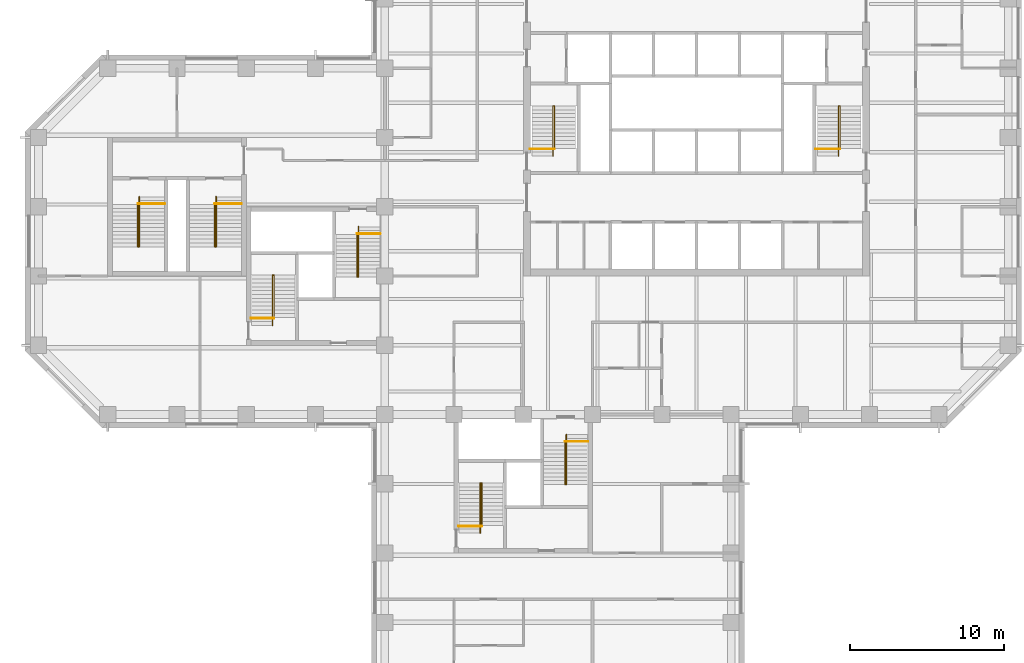
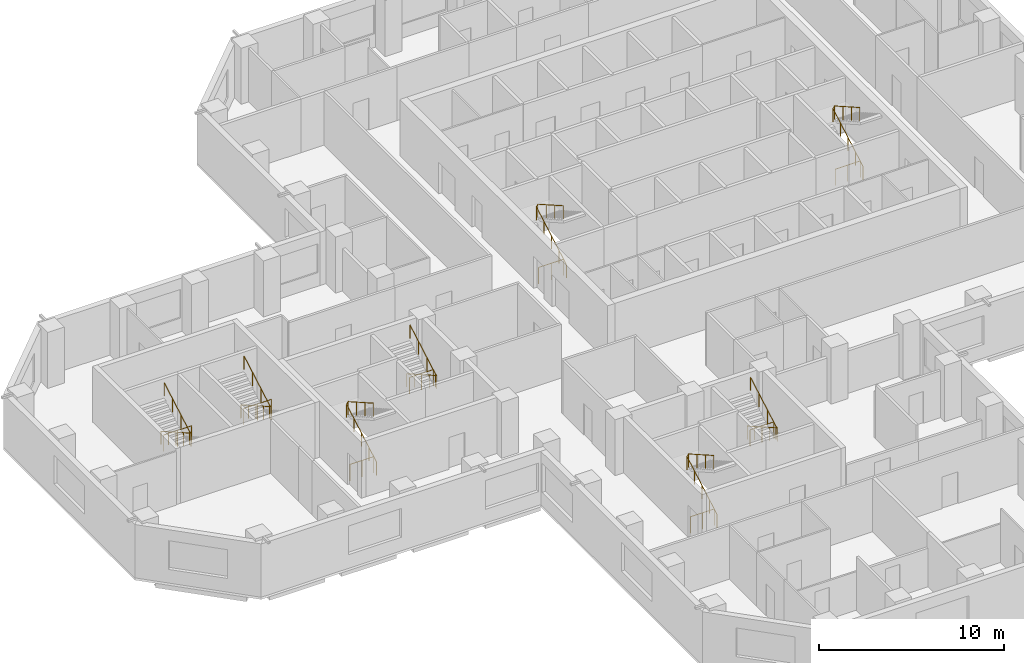
# One storey, part 11 of 11: 16 railings.
"""IFC4 building model written with IfcOpenShell, lengths in metres."""

import ifcopenshell
import ifcopenshell.guid

model = None  # the IFC model being written
_history = None  # IfcOwnerHistory: only IFC2X3 demands one
_inside = {}  # id of a spatial element -> (the spatial element, [elements in it])
_under = {}  # id of a project, library or spatial element -> (it, [spatial elements below it])
_declared = {}  # id of a project -> (the project, [libraries it declares])
_typed = {}  # id of a type object -> (the type object, [elements of that type])
_made_of = {}  # id of a material, layer set ... -> (it, [elements and type objects made of it])


def new_model(schema):
    """Start an empty IFC model of exactly this schema.

    Asked for "IFC4X3", IfcOpenShell would pick the latest addendum, in which some entities
    have other attributes; the version numbers below select the first issue.
    IFC2X3 requires an IfcOwnerHistory on every rooted entity: one is made here for all.
    """
    global model, _history
    if schema == "IFC4X3":
        model = ifcopenshell.file(schema_version=(4, 3, 0, 0))
    else:
        model = ifcopenshell.file(schema=schema)
    _inside.clear()
    _under.clear()
    _declared.clear()
    _typed.clear()
    _made_of.clear()
    _history = None
    if model.schema == "IFC2X3":
        org = make("IfcOrganization", Name="unknown")
        user = make(
            "IfcPersonAndOrganization",
            ThePerson=make("IfcPerson", FamilyName="unknown"),
            TheOrganization=org,
        )
        app = make(
            "IfcApplication",
            ApplicationDeveloper=org,
            Version="unknown",
            ApplicationFullName="unknown",
            ApplicationIdentifier="unknown",
        )
        _history = make(
            "IfcOwnerHistory",
            OwningUser=user,
            OwningApplication=app,
            ChangeAction="ADDED",
            CreationDate=0,
        )
    return model


def make(cls, **values):
    """One entity of the class cls with the attributes given. An attribute that is None is left unset."""
    return model.create_entity(
        cls, **{name: value for name, value in values.items() if value is not None}
    )


def rooted(cls, **values):
    """An entity with a GlobalId (a new one), such as an element, a storey or a relation."""
    return make(cls, GlobalId=ifcopenshell.guid.new(), OwnerHistory=_history, **values)


def si_unit(unit_type, name, prefix=None):
    """IfcSIUnit, for example si_unit("LENGTHUNIT", "METRE", prefix="MILLI")."""
    return make("IfcSIUnit", UnitType=unit_type, Prefix=prefix, Name=name)


def assignment(units):
    """IfcUnitAssignment: the units of a project."""
    return None if units is None else make("IfcUnitAssignment", Units=units)


def point(xyz):
    """IfcCartesianPoint."""
    return None if xyz is None else make("IfcCartesianPoint", Coordinates=xyz)


def direction(xyz):
    """IfcDirection."""
    return None if xyz is None else make("IfcDirection", DirectionRatios=xyz)


def frame(location, z_axis=None, x_axis=None):
    """IfcAxis2Placement3D, a coordinate frame: its origin and axes. An axis left out is left unset."""
    return make(
        "IfcAxis2Placement3D",
        Location=point(location),
        Axis=direction(z_axis),
        RefDirection=direction(x_axis),
    )


def frame_2d(location, x_axis=None):
    """IfcAxis2Placement2D, a coordinate frame in the plane: its origin and x axis."""
    return make(
        "IfcAxis2Placement2D", Location=point(location), RefDirection=direction(x_axis)
    )


def origin():
    """The frame at (0, 0, 0) with its axes left unset."""
    return frame((0.0, 0.0, 0.0))


def origin_2d():
    """The frame at (0, 0) in the plane with its x axis left unset."""
    return frame_2d((0.0, 0.0))


def place(relative_to, where):
    """IfcLocalPlacement: puts the frame where relative to a parent placement (None: the world)."""
    return make(
        "IfcLocalPlacement", PlacementRelTo=relative_to, RelativePlacement=where
    )


def context(
    kind, dimensions, precision=None, world=None, true_north=None, identifier=None
):
    """IfcGeometricRepresentationContext, for example the 3D "Model" context."""
    return make(
        "IfcGeometricRepresentationContext",
        ContextIdentifier=identifier,
        ContextType=kind,
        CoordinateSpaceDimension=dimensions,
        Precision=precision,
        WorldCoordinateSystem=world,
        TrueNorth=true_north,
    )


def subcontext(parent, identifier, kind, view, scale=None):
    """IfcGeometricRepresentationSubContext, for example "Body" below "Model"."""
    return make(
        "IfcGeometricRepresentationSubContext",
        ContextIdentifier=identifier,
        ContextType=kind,
        ParentContext=parent,
        TargetScale=scale,
        TargetView=view,
    )


def project(units=None, contexts=None):
    """IfcProject with its units and contexts."""
    return rooted(
        "IfcProject",
        Name="project",
        RepresentationContexts=contexts,
        UnitsInContext=assignment(units),
    )


def spatial(cls, under=None, at=None, **own):
    """A site, building, storey or space (cls), placed at a placement, below another one or the project."""
    s = rooted(cls, ObjectPlacement=at, **own)
    if under is not None:
        _under.setdefault(under.id(), (under, []))[1].append(s)
    return s


def profile(cls, at=None, kind="AREA", **sizes):
    """A parametric profile (cls). Its sizes go by their IFC names, for example OverallWidth=200.0."""
    return make(cls, ProfileType=kind, Position=at, **sizes)


def circle(**sizes):
    """IfcCircleProfileDef."""
    return profile("IfcCircleProfileDef", **sizes)


def extrude(swept, where, along, depth):
    """IfcExtrudedAreaSolid: the profile swept, set in the frame where, extruded along a direction by depth."""
    return make(
        "IfcExtrudedAreaSolid",
        SweptArea=swept,
        Position=where,
        ExtrudedDirection=direction(along),
        Depth=depth,
    )


def shape(context_of_items, identifier, shape_type, items):
    """IfcShapeRepresentation: the items that make up one representation, for example the "Body"."""
    return make(
        "IfcShapeRepresentation",
        ContextOfItems=context_of_items,
        RepresentationIdentifier=identifier,
        RepresentationType=shape_type,
        Items=items,
    )


def material(Name=None, Category=None):
    """IfcMaterial."""
    return make("IfcMaterial", Name=Name, Category=Category)


def made_of(thing, what):
    """Note that an element or type object is made of a material, layer set ...; save() writes the relation."""
    if what is not None:
        _made_of.setdefault(what.id(), (what, []))[1].append(thing)
    return thing


def type_object(cls, material=None, **own):
    """A type object (cls), such as IfcWallType, which elements share."""
    return made_of(rooted(cls, **own), material)


def element(
    cls,
    number,
    at=None,
    inside=None,
    cuts=None,
    type_object=None,
    material=None,
    context=None,
    identifier="Body",
    shape_type=None,
    held_by="IfcProductDefinitionShape",
    body=None,
    shapes=None,
    **own,
):
    """One element of the class cls, such as IfcWall. Its Tag is "e" and its number.

    at: its placement. inside: the storey or other place that contains it. cuts: it is an
    opening in that element (IfcRelVoidsElement). A single representation is given by context,
    identifier, shape_type and body (its items); several are given by shapes. held_by: the class
    of the entity that holds the representations. save() writes the other relations.
    """
    e = rooted(cls, Tag="e%d" % number, ObjectPlacement=at, **own)
    if body is not None:
        shapes = [shape(context, identifier, shape_type, body)]
    if shapes is not None:
        e.Representation = make(held_by, Representations=shapes)
    if inside is not None:
        _inside.setdefault(inside.id(), (inside, []))[1].append(e)
    if cuts is not None:
        rooted(
            "IfcRelVoidsElement", RelatingBuildingElement=cuts, RelatedOpeningElement=e
        )
    if type_object is not None:
        _typed.setdefault(type_object.id(), (type_object, []))[1].append(e)
    return made_of(e, material)


def aggregate(whole, parts):
    """IfcRelAggregates: a whole, such as a stair, and the parts it consists of."""
    return rooted("IfcRelAggregates", RelatingObject=whole, RelatedObjects=parts)


def save(model, path):
    """Write the relations noted so far, then the file.

    IfcRelAggregates (storeys below a building ...), IfcRelContainedInSpatialStructure (elements
    in a storey), IfcRelDefinesByType, IfcRelAssociatesMaterial and IfcRelDeclares: one each for
    every whole, place, type object, material and project.
    """
    for whole, parts in _under.values():
        aggregate(whole, parts)
    for where, things in _inside.values():
        rooted(
            "IfcRelContainedInSpatialStructure",
            RelatedElements=things,
            RelatingStructure=where,
        )
    for kind, things in _typed.values():
        rooted("IfcRelDefinesByType", RelatedObjects=things, RelatingType=kind)
    for what, things in _made_of.values():
        rooted("IfcRelAssociatesMaterial", RelatedObjects=things, RelatingMaterial=what)
    for by, libraries in _declared.values():
        rooted("IfcRelDeclares", RelatingContext=by, RelatedDefinitions=libraries)
    model.write(path)


model = new_model("IFC4")

# Units and contexts
model_context = context("Model", 3, precision=1e-05, world=origin(), true_north=direction((0.0, 1.0)))
body_context = subcontext(model_context, "Body", "Model", "MODEL_VIEW")
ifc_project = project(units=[si_unit("LENGTHUNIT", "METRE"), si_unit("AREAUNIT", "SQUARE_METRE"), si_unit("VOLUMEUNIT", "CUBIC_METRE"), si_unit("PLANEANGLEUNIT", "RADIAN"), si_unit("MASSUNIT", "GRAM", prefix="KILO")], contexts=[model_context])

# Site, building, storey
site_placement = place(None, origin())
site = spatial("IfcSite", under=ifc_project, at=site_placement, CompositionType="ELEMENT")
building_placement = place(site_placement, origin())
building = spatial("IfcBuilding", under=site, at=building_placement, Name="Quoin Convention Tower", CompositionType="ELEMENT")
storey_placement = place(building_placement, frame((0.0, 0.0, 123.300048828125)))
storey = spatial("IfcBuildingStorey", under=building, at=storey_placement, Name="L32", CompositionType="ELEMENT", Elevation=123.300048828125)

# Railings
ifc_material = material(Name="Stainless steel", Category="steel")
railing_type_1 = type_object("IfcRailingType", Name="Stair handrail 900", PredefinedType="HANDRAIL", material=ifc_material)
railing_1_placement = place(storey_placement, frame((46.929931640625, 57.300048828125, 0.142333984375)))
element("IfcRailing", 1, at=railing_1_placement, inside=storey, type_object=railing_type_1, Name="SD1 handrail 1", PredefinedType="HANDRAIL", context=body_context, shape_type="SweptSolid", body=[
    extrude(circle(Radius=0.02392578125, at=origin_2d()), frame((0.0, 0.0, 0.8759765625), z_axis=(0.0, 0.869081571614, 0.494668800189), x_axis=(-1.0, 0.0, 0.0)), (0.0, 0.0, 1.0), 3.739501953125),
    extrude(circle(Radius=0.02392578125, at=origin_2d()), frame((0.0, 3.25, 2.7255859375), z_axis=(0.53481069233, 0.0, 0.844971906852), x_axis=(0.0, 1.0, 0.0)), (0.0, 0.0, 1.0), 0.16845703125),
    extrude(circle(Radius=0.02392578125, at=origin_2d()), frame((0.090087890625, 3.25, 2.8681640625), z_axis=(0.0, -0.869058607571, 0.494709143443), x_axis=(1.0, 0.0, 0.0)), (0.0, 0.0, 1.0), 3.164306640625),
    extrude(circle(Radius=0.02099609375, at=origin_2d()), origin(), (0.0, 0.0, 1.0), 0.851806640625),
    extrude(circle(Radius=0.02099609375, at=origin_2d()), frame((0.0, 0.8125, 0.46240234375)), (0.0, 0.0, 1.0), 0.851806640625),
    extrude(circle(Radius=0.02099609375, at=origin_2d()), frame((0.0, 1.625, 0.9248046875)), (0.0, 0.0, 1.0), 0.851806640625),
    extrude(circle(Radius=0.02099609375, at=origin_2d()), frame((0.0, 2.4375, 1.387451171875)), (0.0, 0.0, 1.0), 0.851806640625),
    extrude(circle(Radius=0.02099609375, at=origin_2d()), frame((0.0, 3.25, 1.849853515625)), (0.0, 0.0, 1.0), 0.851806640625),
    extrude(circle(Radius=0.02099609375, at=origin_2d()), frame((0.090087890625, 3.25, 1.9921875)), (0.0, 0.0, 1.0), 0.851806640625),
    extrude(circle(Radius=0.02099609375, at=origin_2d()), frame((0.090087890625, 2.333251953125, 2.513916015625)), (0.0, 0.0, 1.0), 0.851806640625),
    extrude(circle(Radius=0.02099609375, at=origin_2d()), frame((0.090087890625, 1.416748046875, 3.035888671875)), (0.0, 0.0, 1.0), 0.851806640625),
    extrude(circle(Radius=0.02099609375, at=origin_2d()), frame((0.090087890625, 0.5, 3.5576171875)), (0.0, 0.0, 1.0), 0.851806640625),
])
railing_2_placement = place(storey_placement, frame((65.47998046875, 57.300048828125, 0.142333984375)))
element("IfcRailing", 2, at=railing_2_placement, inside=storey, type_object=railing_type_1, Name="SD2 handrail 1", PredefinedType="HANDRAIL", context=body_context, shape_type="SweptSolid", body=[
    extrude(circle(Radius=0.02392578125, at=origin_2d()), frame((0.0, 0.0, 0.8759765625), z_axis=(0.0, 0.869081571614, 0.494668800189), x_axis=(-1.0, 0.0, 0.0)), (0.0, 0.0, 1.0), 3.739501953125),
    extrude(circle(Radius=0.02392578125, at=origin_2d()), frame((0.0, 3.25, 2.7255859375), z_axis=(0.53481069233, 0.0, 0.844971906852), x_axis=(0.0, 1.0, 0.0)), (0.0, 0.0, 1.0), 0.16845703125),
    extrude(circle(Radius=0.02392578125, at=origin_2d()), frame((0.090087890625, 3.25, 2.8681640625), z_axis=(0.0, -0.869058607571, 0.494709143443), x_axis=(1.0, 0.0, 0.0)), (0.0, 0.0, 1.0), 3.164306640625),
    extrude(circle(Radius=0.02099609375, at=origin_2d()), origin(), (0.0, 0.0, 1.0), 0.851806640625),
    extrude(circle(Radius=0.02099609375, at=origin_2d()), frame((0.0, 0.8125, 0.46240234375)), (0.0, 0.0, 1.0), 0.851806640625),
    extrude(circle(Radius=0.02099609375, at=origin_2d()), frame((0.0, 1.625, 0.9248046875)), (0.0, 0.0, 1.0), 0.851806640625),
    extrude(circle(Radius=0.02099609375, at=origin_2d()), frame((0.0, 2.4375, 1.387451171875)), (0.0, 0.0, 1.0), 0.851806640625),
    extrude(circle(Radius=0.02099609375, at=origin_2d()), frame((0.0, 3.25, 1.849853515625)), (0.0, 0.0, 1.0), 0.851806640625),
    extrude(circle(Radius=0.02099609375, at=origin_2d()), frame((0.090087890625, 3.25, 1.9921875)), (0.0, 0.0, 1.0), 0.851806640625),
    extrude(circle(Radius=0.02099609375, at=origin_2d()), frame((0.090087890625, 2.333251953125, 2.513916015625)), (0.0, 0.0, 1.0), 0.851806640625),
    extrude(circle(Radius=0.02099609375, at=origin_2d()), frame((0.090087890625, 1.416748046875, 3.035888671875)), (0.0, 0.0, 1.0), 0.851806640625),
    extrude(circle(Radius=0.02099609375, at=origin_2d()), frame((0.090087890625, 0.5, 3.5576171875)), (0.0, 0.0, 1.0), 0.851806640625),
])
railing_3_placement = place(storey_placement, frame((28.705078125, 46.300048828125, 0.142333984375)))
element("IfcRailing", 3, at=railing_3_placement, inside=storey, type_object=railing_type_1, Name="SD3 handrail 1", PredefinedType="HANDRAIL", context=body_context, shape_type="SweptSolid", body=[
    extrude(circle(Radius=0.02392578125, at=origin_2d()), frame((0.0, 0.0, 0.8759765625), z_axis=(0.0, 0.869081571614, 0.494668800189), x_axis=(-1.0, 0.0, 0.0)), (0.0, 0.0, 1.0), 3.739501953125),
    extrude(circle(Radius=0.02392578125, at=origin_2d()), frame((0.0, 3.25, 2.7255859375), z_axis=(0.533774684331, 0.0, 0.845626741753), x_axis=(0.0, 1.0, 0.0)), (0.0, 0.0, 1.0), 0.168212890625),
    extrude(circle(Radius=0.02392578125, at=origin_2d()), frame((0.08984375, 3.25, 2.8681640625), z_axis=(0.0, -0.869058607571, 0.494709143443), x_axis=(1.0, 0.0, 0.0)), (0.0, 0.0, 1.0), 3.164306640625),
    extrude(circle(Radius=0.02099609375, at=origin_2d()), origin(), (0.0, 0.0, 1.0), 0.851806640625),
    extrude(circle(Radius=0.02099609375, at=origin_2d()), frame((0.0, 0.8125, 0.46240234375)), (0.0, 0.0, 1.0), 0.851806640625),
    extrude(circle(Radius=0.02099609375, at=origin_2d()), frame((0.0, 1.625, 0.9248046875)), (0.0, 0.0, 1.0), 0.851806640625),
    extrude(circle(Radius=0.02099609375, at=origin_2d()), frame((0.0, 2.4375, 1.387451171875)), (0.0, 0.0, 1.0), 0.851806640625),
    extrude(circle(Radius=0.02099609375, at=origin_2d()), frame((0.0, 3.25, 1.849853515625)), (0.0, 0.0, 1.0), 0.851806640625),
    extrude(circle(Radius=0.02099609375, at=origin_2d()), frame((0.08984375, 3.25, 1.9921875)), (0.0, 0.0, 1.0), 0.851806640625),
    extrude(circle(Radius=0.02099609375, at=origin_2d()), frame((0.08984375, 2.333251953125, 2.513916015625)), (0.0, 0.0, 1.0), 0.851806640625),
    extrude(circle(Radius=0.02099609375, at=origin_2d()), frame((0.08984375, 1.416748046875, 3.035888671875)), (0.0, 0.0, 1.0), 0.851806640625),
    extrude(circle(Radius=0.02099609375, at=origin_2d()), frame((0.08984375, 0.5, 3.5576171875)), (0.0, 0.0, 1.0), 0.851806640625),
])
railing_4_placement = place(storey_placement, frame((34.294921875, 52.699951171875, 0.142333984375)))
element("IfcRailing", 4, at=railing_4_placement, inside=storey, type_object=railing_type_1, Name="SD4 handrail 1", PredefinedType="HANDRAIL", context=body_context, shape_type="SweptSolid", body=[
    extrude(circle(Radius=0.02392578125, at=origin_2d()), frame((0.0, 0.0, 0.8759765625), z_axis=(0.0, -0.869081571614, 0.494668800189), x_axis=(1.0, 0.0, 0.0)), (0.0, 0.0, 1.0), 3.739501953125),
    extrude(circle(Radius=0.02392578125, at=origin_2d()), frame((0.0, -3.25, 2.7255859375), z_axis=(-0.533774684331, 0.0, 0.845626741753), x_axis=(0.0, -1.0, 0.0)), (0.0, 0.0, 1.0), 0.168212890625),
    extrude(circle(Radius=0.02392578125, at=origin_2d()), frame((-0.08984375, -3.25, 2.8681640625), z_axis=(0.0, 0.869058607571, 0.494709143443), x_axis=(-1.0, 0.0, 0.0)), (0.0, 0.0, 1.0), 3.164306640625),
    extrude(circle(Radius=0.02099609375, at=origin_2d()), origin(), (0.0, 0.0, 1.0), 0.851806640625),
    extrude(circle(Radius=0.02099609375, at=origin_2d()), frame((0.0, -0.8125, 0.46240234375)), (0.0, 0.0, 1.0), 0.851806640625),
    extrude(circle(Radius=0.02099609375, at=origin_2d()), frame((0.0, -1.625, 0.9248046875)), (0.0, 0.0, 1.0), 0.851806640625),
    extrude(circle(Radius=0.02099609375, at=origin_2d()), frame((0.0, -2.4375, 1.387451171875)), (0.0, 0.0, 1.0), 0.851806640625),
    extrude(circle(Radius=0.02099609375, at=origin_2d()), frame((0.0, -3.25, 1.849853515625)), (0.0, 0.0, 1.0), 0.851806640625),
    extrude(circle(Radius=0.02099609375, at=origin_2d()), frame((-0.08984375, -3.25, 1.9921875)), (0.0, 0.0, 1.0), 0.851806640625),
    extrude(circle(Radius=0.02099609375, at=origin_2d()), frame((-0.08984375, -2.333251953125, 2.513916015625)), (0.0, 0.0, 1.0), 0.851806640625),
    extrude(circle(Radius=0.02099609375, at=origin_2d()), frame((-0.08984375, -1.416748046875, 3.035888671875)), (0.0, 0.0, 1.0), 0.851806640625),
    extrude(circle(Radius=0.02099609375, at=origin_2d()), frame((-0.08984375, -0.5, 3.5576171875)), (0.0, 0.0, 1.0), 0.851806640625),
])
railing_5_placement = place(storey_placement, frame((42.205078125, 32.800048828125, 0.142333984375)))
element("IfcRailing", 5, at=railing_5_placement, inside=storey, type_object=railing_type_1, Name="SD5 handrail 1", PredefinedType="HANDRAIL", context=body_context, shape_type="SweptSolid", body=[
    extrude(circle(Radius=0.02392578125, at=origin_2d()), frame((0.0, 0.0, 0.8759765625), z_axis=(0.0, 0.869081571614, 0.494668800189), x_axis=(-1.0, 0.0, 0.0)), (0.0, 0.0, 1.0), 3.739501953125),
    extrude(circle(Radius=0.02392578125, at=origin_2d()), frame((0.0, 3.25, 2.7255859375), z_axis=(0.533774684331, 0.0, 0.845626741753), x_axis=(0.0, 1.0, 0.0)), (0.0, 0.0, 1.0), 0.168212890625),
    extrude(circle(Radius=0.02392578125, at=origin_2d()), frame((0.08984375, 3.25, 2.8681640625), z_axis=(0.0, -0.869058607571, 0.494709143443), x_axis=(1.0, 0.0, 0.0)), (0.0, 0.0, 1.0), 3.164306640625),
    extrude(circle(Radius=0.02099609375, at=origin_2d()), origin(), (0.0, 0.0, 1.0), 0.851806640625),
    extrude(circle(Radius=0.02099609375, at=origin_2d()), frame((0.0, 0.8125, 0.46240234375)), (0.0, 0.0, 1.0), 0.851806640625),
    extrude(circle(Radius=0.02099609375, at=origin_2d()), frame((0.0, 1.625, 0.9248046875)), (0.0, 0.0, 1.0), 0.851806640625),
    extrude(circle(Radius=0.02099609375, at=origin_2d()), frame((0.0, 2.4375, 1.387451171875)), (0.0, 0.0, 1.0), 0.851806640625),
    extrude(circle(Radius=0.02099609375, at=origin_2d()), frame((0.0, 3.25, 1.849853515625)), (0.0, 0.0, 1.0), 0.851806640625),
    extrude(circle(Radius=0.02099609375, at=origin_2d()), frame((0.08984375, 3.25, 1.9921875)), (0.0, 0.0, 1.0), 0.851806640625),
    extrude(circle(Radius=0.02099609375, at=origin_2d()), frame((0.08984375, 2.333251953125, 2.513916015625)), (0.0, 0.0, 1.0), 0.851806640625),
    extrude(circle(Radius=0.02099609375, at=origin_2d()), frame((0.08984375, 1.416748046875, 3.035888671875)), (0.0, 0.0, 1.0), 0.851806640625),
    extrude(circle(Radius=0.02099609375, at=origin_2d()), frame((0.08984375, 0.5, 3.5576171875)), (0.0, 0.0, 1.0), 0.851806640625),
])
railing_6_placement = place(storey_placement, frame((47.794921875, 39.199951171875, 0.142333984375)))
element("IfcRailing", 6, at=railing_6_placement, inside=storey, type_object=railing_type_1, Name="SD6 handrail 1", PredefinedType="HANDRAIL", context=body_context, shape_type="SweptSolid", body=[
    extrude(circle(Radius=0.02392578125, at=origin_2d()), frame((0.0, 0.0, 0.8759765625), z_axis=(0.0, -0.869081571614, 0.494668800189), x_axis=(1.0, 0.0, 0.0)), (0.0, 0.0, 1.0), 3.739501953125),
    extrude(circle(Radius=0.02392578125, at=origin_2d()), frame((0.0, -3.25, 2.7255859375), z_axis=(-0.533774684331, 0.0, 0.845626741753), x_axis=(0.0, -1.0, 0.0)), (0.0, 0.0, 1.0), 0.168212890625),
    extrude(circle(Radius=0.02392578125, at=origin_2d()), frame((-0.08984375, -3.25, 2.8681640625), z_axis=(0.0, 0.869058607571, 0.494709143443), x_axis=(-1.0, 0.0, 0.0)), (0.0, 0.0, 1.0), 3.164306640625),
    extrude(circle(Radius=0.02099609375, at=origin_2d()), origin(), (0.0, 0.0, 1.0), 0.851806640625),
    extrude(circle(Radius=0.02099609375, at=origin_2d()), frame((0.0, -0.8125, 0.46240234375)), (0.0, 0.0, 1.0), 0.851806640625),
    extrude(circle(Radius=0.02099609375, at=origin_2d()), frame((0.0, -1.625, 0.9248046875)), (0.0, 0.0, 1.0), 0.851806640625),
    extrude(circle(Radius=0.02099609375, at=origin_2d()), frame((0.0, -2.4375, 1.387451171875)), (0.0, 0.0, 1.0), 0.851806640625),
    extrude(circle(Radius=0.02099609375, at=origin_2d()), frame((0.0, -3.25, 1.849853515625)), (0.0, 0.0, 1.0), 0.851806640625),
    extrude(circle(Radius=0.02099609375, at=origin_2d()), frame((-0.08984375, -3.25, 1.9921875)), (0.0, 0.0, 1.0), 0.851806640625),
    extrude(circle(Radius=0.02099609375, at=origin_2d()), frame((-0.08984375, -2.333251953125, 2.513916015625)), (0.0, 0.0, 1.0), 0.851806640625),
    extrude(circle(Radius=0.02099609375, at=origin_2d()), frame((-0.08984375, -1.416748046875, 3.035888671875)), (0.0, 0.0, 1.0), 0.851806640625),
    extrude(circle(Radius=0.02099609375, at=origin_2d()), frame((-0.08984375, -0.5, 3.5576171875)), (0.0, 0.0, 1.0), 0.851806640625),
])
railing_7_placement = place(storey_placement, frame((20.044921875, 54.64990234375, 0.142333984375)))
element("IfcRailing", 7, at=railing_7_placement, inside=storey, type_object=railing_type_1, Name="SD11 handrail 1", PredefinedType="HANDRAIL", context=body_context, shape_type="SweptSolid", body=[
    extrude(circle(Radius=0.02392578125, at=origin_2d()), frame((0.0, 0.0, 0.8759765625), z_axis=(0.0, -0.869081571614, 0.494668800189), x_axis=(1.0, 0.0, 0.0)), (0.0, 0.0, 1.0), 3.739501953125),
    extrude(circle(Radius=0.02392578125, at=origin_2d()), frame((0.0, -3.25, 2.7255859375), z_axis=(-0.533774684331, 0.0, 0.845626741753), x_axis=(0.0, -1.0, 0.0)), (0.0, 0.0, 1.0), 0.168212890625),
    extrude(circle(Radius=0.02392578125, at=origin_2d()), frame((-0.08984375, -3.25, 2.8681640625), z_axis=(0.0, 0.869058607571, 0.494709143443), x_axis=(-1.0, 0.0, 0.0)), (0.0, 0.0, 1.0), 3.164306640625),
    extrude(circle(Radius=0.02099609375, at=origin_2d()), origin(), (0.0, 0.0, 1.0), 0.851806640625),
    extrude(circle(Radius=0.02099609375, at=origin_2d()), frame((0.0, -0.8125, 0.46240234375)), (0.0, 0.0, 1.0), 0.851806640625),
    extrude(circle(Radius=0.02099609375, at=origin_2d()), frame((0.0, -1.625, 0.9248046875)), (0.0, 0.0, 1.0), 0.851806640625),
    extrude(circle(Radius=0.02099609375, at=origin_2d()), frame((0.0, -2.4375, 1.387451171875)), (0.0, 0.0, 1.0), 0.851806640625),
    extrude(circle(Radius=0.02099609375, at=origin_2d()), frame((0.0, -3.25, 1.849853515625)), (0.0, 0.0, 1.0), 0.851806640625),
    extrude(circle(Radius=0.02099609375, at=origin_2d()), frame((-0.08984375, -3.25, 1.9921875)), (0.0, 0.0, 1.0), 0.851806640625),
    extrude(circle(Radius=0.02099609375, at=origin_2d()), frame((-0.08984375, -2.333251953125, 2.513916015625)), (0.0, 0.0, 1.0), 0.851806640625),
    extrude(circle(Radius=0.02099609375, at=origin_2d()), frame((-0.08984375, -1.416748046875, 3.035888671875)), (0.0, 0.0, 1.0), 0.851806640625),
    extrude(circle(Radius=0.02099609375, at=origin_2d()), frame((-0.08984375, -0.5, 3.5576171875)), (0.0, 0.0, 1.0), 0.851806640625),
])
railing_8_placement = place(storey_placement, frame((25.044921875, 54.64990234375, 0.142333984375)))
element("IfcRailing", 8, at=railing_8_placement, inside=storey, type_object=railing_type_1, Name="SD12 handrail 1", PredefinedType="HANDRAIL", context=body_context, shape_type="SweptSolid", body=[
    extrude(circle(Radius=0.02392578125, at=origin_2d()), frame((0.0, 0.0, 0.8759765625), z_axis=(0.0, -0.869081571614, 0.494668800189), x_axis=(1.0, 0.0, 0.0)), (0.0, 0.0, 1.0), 3.739501953125),
    extrude(circle(Radius=0.02392578125, at=origin_2d()), frame((0.0, -3.25, 2.7255859375), z_axis=(-0.533774684331, 0.0, 0.845626741753), x_axis=(0.0, -1.0, 0.0)), (0.0, 0.0, 1.0), 0.168212890625),
    extrude(circle(Radius=0.02392578125, at=origin_2d()), frame((-0.08984375, -3.25, 2.8681640625), z_axis=(0.0, 0.869058607571, 0.494709143443), x_axis=(-1.0, 0.0, 0.0)), (0.0, 0.0, 1.0), 3.164306640625),
    extrude(circle(Radius=0.02099609375, at=origin_2d()), origin(), (0.0, 0.0, 1.0), 0.851806640625),
    extrude(circle(Radius=0.02099609375, at=origin_2d()), frame((0.0, -0.8125, 0.46240234375)), (0.0, 0.0, 1.0), 0.851806640625),
    extrude(circle(Radius=0.02099609375, at=origin_2d()), frame((0.0, -1.625, 0.9248046875)), (0.0, 0.0, 1.0), 0.851806640625),
    extrude(circle(Radius=0.02099609375, at=origin_2d()), frame((0.0, -2.4375, 1.387451171875)), (0.0, 0.0, 1.0), 0.851806640625),
    extrude(circle(Radius=0.02099609375, at=origin_2d()), frame((0.0, -3.25, 1.849853515625)), (0.0, 0.0, 1.0), 0.851806640625),
    extrude(circle(Radius=0.02099609375, at=origin_2d()), frame((-0.08984375, -3.25, 1.9921875)), (0.0, 0.0, 1.0), 0.851806640625),
    extrude(circle(Radius=0.02099609375, at=origin_2d()), frame((-0.08984375, -2.333251953125, 2.513916015625)), (0.0, 0.0, 1.0), 0.851806640625),
    extrude(circle(Radius=0.02099609375, at=origin_2d()), frame((-0.08984375, -1.416748046875, 3.035888671875)), (0.0, 0.0, 1.0), 0.851806640625),
    extrude(circle(Radius=0.02099609375, at=origin_2d()), frame((-0.08984375, -0.5, 3.5576171875)), (0.0, 0.0, 1.0), 0.851806640625),
])
railing_type_2 = type_object("IfcRailingType", Name="Stair top guard 1100", PredefinedType="GUARDRAIL", material=ifc_material)
for number, where, name in (
    (9, (45.449951171875, 57.75, 0.0), "SD1 top guard"),
    (10, (64.0, 57.75, 0.0), "SD2 top guard"),
):
    element("IfcRailing", number, at=place(storey_placement, frame(where)), inside=storey, type_object=railing_type_2, Name=name, PredefinedType="GUARDRAIL", context=body_context, shape_type="SweptSolid", body=[
        extrude(circle(Radius=0.02392578125, at=origin_2d()), frame((0.0, 0.0, 1.076171875), z_axis=(1.0, 0.0, 0.0), x_axis=(0.0, 1.0, 0.0)), (0.0, 0.0, 1.0), 1.570068359375),
        extrude(circle(Radius=0.02099609375, at=origin_2d()), origin(), (0.0, 0.0, 1.0), 1.052001953125),
        extrude(circle(Radius=0.02099609375, at=origin_2d()), frame((0.78515625, 0.0, 0.0)), (0.0, 0.0, 1.0), 1.052001953125),
        extrude(circle(Radius=0.02099609375, at=origin_2d()), frame((1.570068359375, 0.0, 0.0)), (0.0, 0.0, 1.0), 1.052001953125),
    ])
railing_9_placement = place(storey_placement, frame((27.300048828125, 46.75, 0.0)))
element("IfcRailing", 11, at=railing_9_placement, inside=storey, type_object=railing_type_2, Name="SD3 top guard", PredefinedType="GUARDRAIL", context=body_context, shape_type="SweptSolid", body=[
    extrude(circle(Radius=0.02392578125, at=origin_2d()), frame((0.0, 0.0, 1.076171875), z_axis=(1.0, 0.0, 0.0), x_axis=(0.0, 1.0, 0.0)), (0.0, 0.0, 1.0), 1.494873046875),
    extrude(circle(Radius=0.02099609375, at=origin_2d()), origin(), (0.0, 0.0, 1.0), 1.052001953125),
    extrude(circle(Radius=0.02099609375, at=origin_2d()), frame((0.74755859375, 0.0, 0.0)), (0.0, 0.0, 1.0), 1.052001953125),
    extrude(circle(Radius=0.02099609375, at=origin_2d()), frame((1.494873046875, 0.0, 0.0)), (0.0, 0.0, 1.0), 1.052001953125),
])
railing_10_placement = place(storey_placement, frame((35.699951171875, 52.25, 0.0)))
element("IfcRailing", 12, at=railing_10_placement, inside=storey, type_object=railing_type_2, Name="SD4 top guard", PredefinedType="GUARDRAIL", context=body_context, shape_type="SweptSolid", body=[
    extrude(circle(Radius=0.02392578125, at=origin_2d()), frame((0.0, 0.0, 1.076171875), z_axis=(-1.0, 0.0, 0.0), x_axis=(0.0, -1.0, 0.0)), (0.0, 0.0, 1.0), 1.494873046875),
    extrude(circle(Radius=0.02099609375, at=origin_2d()), origin(), (0.0, 0.0, 1.0), 1.052001953125),
    extrude(circle(Radius=0.02099609375, at=origin_2d()), frame((-0.74755859375, 0.0, 0.0)), (0.0, 0.0, 1.0), 1.052001953125),
    extrude(circle(Radius=0.02099609375, at=origin_2d()), frame((-1.494873046875, 0.0, 0.0)), (0.0, 0.0, 1.0), 1.052001953125),
])
railing_11_placement = place(storey_placement, frame((40.800048828125, 33.25, 0.0)))
element("IfcRailing", 13, at=railing_11_placement, inside=storey, type_object=railing_type_2, Name="SD5 top guard", PredefinedType="GUARDRAIL", context=body_context, shape_type="SweptSolid", body=[
    extrude(circle(Radius=0.02392578125, at=origin_2d()), frame((0.0, 0.0, 1.076171875), z_axis=(1.0, 0.0, 0.0), x_axis=(0.0, 1.0, 0.0)), (0.0, 0.0, 1.0), 1.494873046875),
    extrude(circle(Radius=0.02099609375, at=origin_2d()), origin(), (0.0, 0.0, 1.0), 1.052001953125),
    extrude(circle(Radius=0.02099609375, at=origin_2d()), frame((0.74755859375, 0.0, 0.0)), (0.0, 0.0, 1.0), 1.052001953125),
    extrude(circle(Radius=0.02099609375, at=origin_2d()), frame((1.494873046875, 0.0, 0.0)), (0.0, 0.0, 1.0), 1.052001953125),
])
railing_12_placement = place(storey_placement, frame((49.199951171875, 38.75, 0.0)))
element("IfcRailing", 14, at=railing_12_placement, inside=storey, type_object=railing_type_2, Name="SD6 top guard", PredefinedType="GUARDRAIL", context=body_context, shape_type="SweptSolid", body=[
    extrude(circle(Radius=0.02392578125, at=origin_2d()), frame((0.0, 0.0, 1.076171875), z_axis=(-1.0, 0.0, 0.0), x_axis=(0.0, -1.0, 0.0)), (0.0, 0.0, 1.0), 1.494873046875),
    extrude(circle(Radius=0.02099609375, at=origin_2d()), origin(), (0.0, 0.0, 1.0), 1.052001953125),
    extrude(circle(Radius=0.02099609375, at=origin_2d()), frame((-0.74755859375, 0.0, 0.0)), (0.0, 0.0, 1.0), 1.052001953125),
    extrude(circle(Radius=0.02099609375, at=origin_2d()), frame((-1.494873046875, 0.0, 0.0)), (0.0, 0.0, 1.0), 1.052001953125),
])
for number, where, name in (
    (15, (21.699951171875, 54.199951171875, 0.0), "SD11 top guard"),
    (16, (26.699951171875, 54.199951171875, 0.0), "SD12 top guard"),
):
    element("IfcRailing", number, at=place(storey_placement, frame(where)), inside=storey, type_object=railing_type_2, Name=name, PredefinedType="GUARDRAIL", context=body_context, shape_type="SweptSolid", body=[
        extrude(circle(Radius=0.02392578125, at=origin_2d()), frame((0.0, 0.0, 1.076171875), z_axis=(-1.0, 0.0, 0.0), x_axis=(0.0, -1.0, 0.0)), (0.0, 0.0, 1.0), 1.744873046875),
        extrude(circle(Radius=0.02099609375, at=origin_2d()), origin(), (0.0, 0.0, 1.0), 1.052001953125),
        extrude(circle(Radius=0.02099609375, at=origin_2d()), frame((-0.87255859375, 0.0, 0.0)), (0.0, 0.0, 1.0), 1.052001953125),
        extrude(circle(Radius=0.02099609375, at=origin_2d()), frame((-1.744873046875, 0.0, 0.0)), (0.0, 0.0, 1.0), 1.052001953125),
    ])

save(model, "model.ifc")
